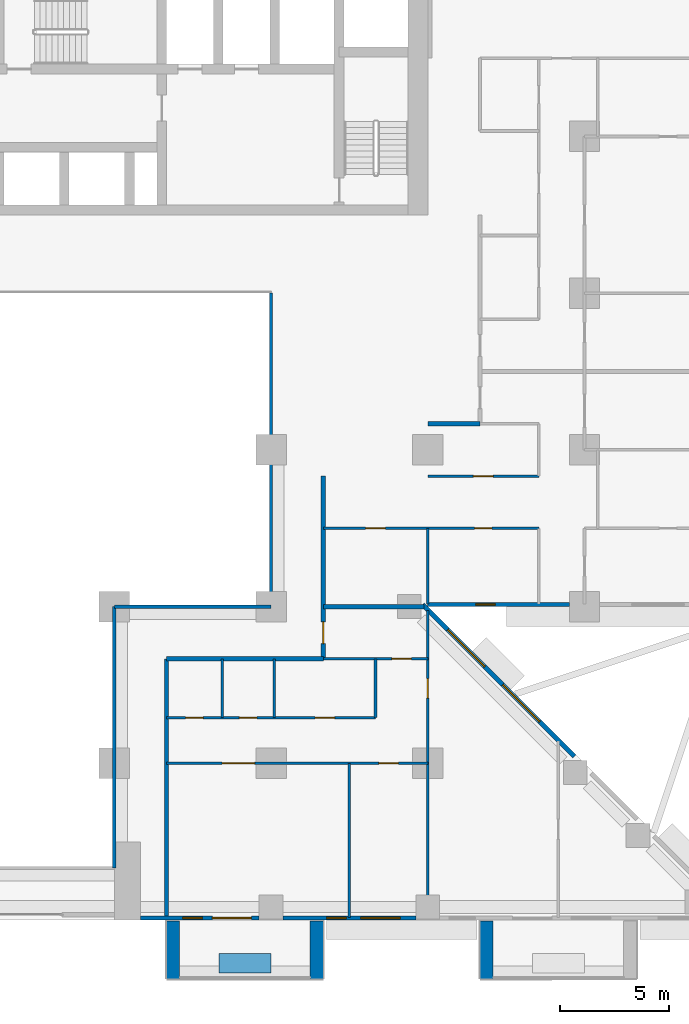
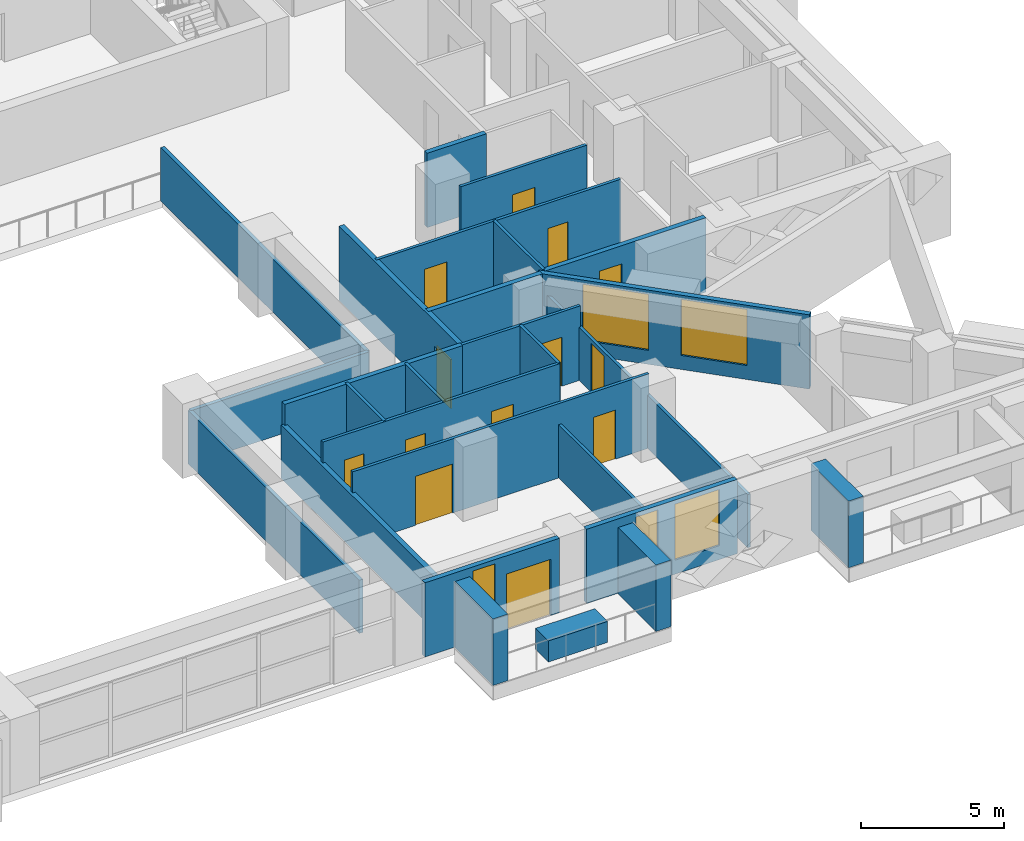
# One storey, part 8 of 17: 27 walls, 12 doors, 6 windows, 18 openings.
"""IFC4 building model written with IfcOpenShell, lengths in metres."""

from ifc_helpers import new_model, si_unit, direction, frame, frame_2d, origin, place, context, subcontext, project, spatial, rectangle, extrude, material, layer, layer_set, type_object, element, fill, save


model = new_model("IFC4")

# Units and contexts
model_context = context("Model", 3, precision=1e-05, world=origin(), true_north=direction((0.0, 1.0)))
body_context = subcontext(model_context, "Body", "Model", "MODEL_VIEW")
ifc_project = project(units=[si_unit("LENGTHUNIT", "METRE"), si_unit("AREAUNIT", "SQUARE_METRE"), si_unit("VOLUMEUNIT", "CUBIC_METRE"), si_unit("PLANEANGLEUNIT", "RADIAN"), si_unit("MASSUNIT", "GRAM", prefix="KILO")], contexts=[model_context])

# Site, building, storey
site_placement = place(None, origin())
site = spatial("IfcSite", under=ifc_project, at=site_placement, CompositionType="ELEMENT")
building_placement = place(site_placement, origin())
building = spatial("IfcBuilding", under=site, at=building_placement, Name="Saffron Iwan Residences", CompositionType="ELEMENT")
storey_placement = place(building_placement, frame((0.0, 0.0, 58.5)))
storey = spatial("IfcBuildingStorey", under=building, at=storey_placement, Name="L14", CompositionType="ELEMENT", Elevation=58.5)

# Walls
ifc_material_1 = material(Name="Fire-rated glazing", Category="glass")
ifc_layer_1 = layer(ifc_material_1, 0.14990234375)
ifc_layer_set_1 = layer_set([ifc_layer_1], Name="Fire-rated glazing")
wall_type_1 = type_object("IfcWallType", Name="Atrium glazed screen 150", PredefinedType="SOLIDWALL", material=ifc_layer_set_1)
wall_1_placement = place(storey_placement, frame((57.60009765625, 48.0, 0.0), z_axis=(0.0, 0.0, 1.0), x_axis=(1.0, 0.0, 0.0)))
element("IfcWall", 1, at=wall_1_placement, inside=storey, type_object=wall_type_1, Name="W-L14-SCREEN-h48-57.6", PredefinedType="SOLIDWALL", context=body_context, shape_type="SweptSolid", body=[
    extrude(rectangle(XDim=7.199951171875, YDim=0.14990234375, at=frame_2d((3.60009765625, 0.0))), origin(), (0.0, 0.0, 1.0), 2.280029296875),
])
wall_2_placement = place(storey_placement, frame((57.60009765625, 36.0, 0.0), z_axis=(0.0, 0.0, 1.0), x_axis=(0.0, 1.0, 0.0)))
element("IfcWall", 2, at=wall_2_placement, inside=storey, type_object=wall_type_1, Name="W-L14-SCREEN-v57.6-36", PredefinedType="SOLIDWALL", context=body_context, shape_type="SweptSolid", body=[
    extrude(rectangle(XDim=12.0, YDim=0.14990234375, at=frame_2d((6.0, 0.0))), origin(), (0.0, 0.0, 1.0), 2.280029296875),
])
wall_3_placement = place(storey_placement, frame((64.800048828125, 48.0, 0.0), z_axis=(0.0, 0.0, 1.0), x_axis=(0.0, 1.0, 0.0)))
element("IfcWall", 3, at=wall_3_placement, inside=storey, type_object=wall_type_1, Name="W-L14-SCREEN-v64.8-48", PredefinedType="SOLIDWALL", context=body_context, shape_type="SweptSolid", body=[
    extrude(rectangle(XDim=14.39990234375, YDim=0.14990234375, at=frame_2d((7.199951171875, 0.0))), origin(), (0.0, 0.0, 1.0), 2.280029296875),
])
ifc_material_2 = material(Name="Concrete C50/60 white painted", Category="concrete")
ifc_layer_2 = layer(ifc_material_2, 0.60009765625)
ifc_layer_set_2 = layer_set([ifc_layer_2], Name="Concrete C50/60 white painted")
wall_type_2 = type_object("IfcWallType", Name="BALCONY FIN 600", PredefinedType="SOLIDWALL", material=ifc_layer_set_2)
for number, where, z_axis, x_axis, name in (
    (4, (60.300048828125, 33.550048828125, 0.0), (0.0, 0.0, 1.0), (0.0, -1.0, 0.0), "Balcony fin L14 11-1a"),
    (5, (66.89990234375, 33.550048828125, 0.0), (0.0, 0.0, 1.0), (0.0, -1.0, 0.0), "Balcony fin L14 11-1b"),
    (6, (74.699951171875, 33.550048828125, 0.0), (0.0, 0.0, 1.0), (0.0, -1.0, 0.0), "Balcony fin L14 11-2a"),
):
    element("IfcWall", number, at=place(storey_placement, frame(where, z_axis=z_axis, x_axis=x_axis)), inside=storey, type_object=wall_type_2, Name=name, PredefinedType="SOLIDWALL", context=body_context, shape_type="SweptSolid", body=[
        extrude(rectangle(XDim=2.650146484375, YDim=0.60009765625, at=frame_2d((1.3251953125, 0.0))), origin(), (0.0, 0.0, 1.0), 2.85009765625),
    ])
ifc_material_3 = material(Name="Concrete C35/45 white painted", Category="concrete")
ifc_layer_3 = layer(ifc_material_3, 0.14990234375)
ifc_layer_set_3 = layer_set([ifc_layer_3], Name="Concrete C35/45 white painted")
wall_type_3 = type_object("IfcWallType", Name="BALCONY PLANTER", PredefinedType="SOLIDWALL", material=ifc_layer_set_3)
wall_4_placement = place(storey_placement, frame((62.39990234375, 31.625, 0.0), z_axis=(0.0, 0.0, 1.0), x_axis=(1.0, 0.0, 0.0)))
element("IfcWall", 7, at=wall_4_placement, inside=storey, type_object=wall_type_3, Name="PLANTER L14 11-1", PredefinedType="SOLIDWALL", context=body_context, shape_type="SweptSolid", body=[
    extrude(rectangle(XDim=2.400146484375, YDim=0.89990234375, at=frame_2d((1.2001953125, 0.0))), origin(), (0.0, 0.0, 1.0), 0.89990234375),
])

# Wall, openings, windows
ifc_material_4 = material(Name="Concrete C40/50", Category="concrete")
ifc_layer_4 = layer(ifc_material_4, 0.199951171875)
ifc_layer_set_4 = layer_set([ifc_layer_4], Name="Concrete C40/50")
wall_type_4 = type_object("IfcWallType", Name="EXTERNAL WALL 200", PredefinedType="SOLIDWALL", material=ifc_layer_set_4)
wall_5_placement = place(storey_placement, frame((78.740478515625, 41.1181640625, 0.0), z_axis=(0.0, 0.0, 1.0), x_axis=(-0.707106781187, 0.707106781187, 0.0)))
wall_5 = element("IfcWall", 8, at=wall_5_placement, inside=storey, type_object=wall_type_4, Name="External wall L14 F0.2", PredefinedType="SOLIDWALL", context=body_context, shape_type="SweptSolid", body=[
    extrude(rectangle(XDim=9.8740234375, YDim=0.199951171875, at=frame_2d((4.93701171875, 0.0))), origin(), (0.0, 0.0, 1.0), 3.179931640625),
])
opening_1_placement = place(wall_5_placement, frame((2.263671875, 0.0, 0.60009765625)))
opening_1 = element("IfcOpeningElement", 9, at=opening_1_placement, cuts=wall_5, Name="Opening W1", PredefinedType="OPENING", context=body_context, shape_type="SweptSolid", body=[
    extrude(rectangle(XDim=2.39990234375, YDim=2.39990234375, at=frame_2d((1.199951171875, 1.199951171875))), frame((0.0, 0.10986328125, 0.0), z_axis=(0.0, -1.0, 0.0), x_axis=(1.0, 0.0, 0.0)), (0.0, 0.0, 1.0), 0.219970703125),
])
opening_2_placement = place(wall_5_placement, frame((5.835693359375, 0.0, 0.60009765625)))
opening_2 = element("IfcOpeningElement", 10, at=opening_2_placement, cuts=wall_5, Name="Opening W1", PredefinedType="OPENING", context=body_context, shape_type="SweptSolid", body=[
    extrude(rectangle(XDim=2.39990234375, YDim=2.39990234375, at=frame_2d((1.199951171875, 1.199951171875))), frame((0.0, 0.10986328125, 0.0), z_axis=(0.0, -1.0, 0.0), x_axis=(1.0, 0.0, 0.0)), (0.0, 0.0, 1.0), 0.219970703125),
])
ifc_material_5 = material(Name="Clear glass, laminated double glazed", Category="glass")
window_type_1 = type_object("IfcWindowType", Name="WINDOW 2400 x 2400", PartitioningType="DOUBLE_PANEL_VERTICAL", PredefinedType="WINDOW", material=ifc_material_5)
window_1_placement = place(opening_1_placement, origin())
window_1 = element("IfcWindow", 11, at=window_1_placement, inside=storey, type_object=window_type_1, Name="Window L14 F0.0", OverallHeight=2.39990234375, OverallWidth=2.39990234375, PartitioningType="DOUBLE_PANEL_VERTICAL", PredefinedType="WINDOW", context=body_context, shape_type="SweptSolid", body=[
    extrude(rectangle(XDim=2.39990234375, YDim=2.39990234375, at=frame_2d((1.199951171875, 1.199951171875))), frame((0.0, 0.030029296875, 0.0), z_axis=(0.0, -1.0, 0.0), x_axis=(1.0, 0.0, 0.0)), (0.0, 0.0, 1.0), 0.06005859375),
])
fill(opening_1, window_1)
window_2_placement = place(opening_2_placement, origin())
window_2 = element("IfcWindow", 12, at=window_2_placement, inside=storey, type_object=window_type_1, Name="Window L14 F0.1", OverallHeight=2.39990234375, OverallWidth=2.39990234375, PartitioningType="DOUBLE_PANEL_VERTICAL", PredefinedType="WINDOW", context=body_context, shape_type="SweptSolid", body=[
    extrude(rectangle(XDim=2.39990234375, YDim=2.39990234375, at=frame_2d((1.199951171875, 1.199951171875))), frame((0.0, 0.030029296875, 0.0), z_axis=(0.0, -1.0, 0.0), x_axis=(1.0, 0.0, 0.0)), (0.0, 0.0, 1.0), 0.06005859375),
])
fill(opening_2, window_2)

# Wall, opening, window
wall_6_placement = place(storey_placement, frame((71.988525390625, 48.10009765625, 0.0), z_axis=(0.0, 0.0, 1.0), x_axis=(1.0, 0.0, 0.0)))
wall_6 = element("IfcWall", 13, at=wall_6_placement, inside=storey, type_object=wall_type_4, Name="External wall L14 F1.0", PredefinedType="SOLIDWALL", context=body_context, shape_type="SweptSolid", body=[
    extrude(rectangle(XDim=6.511474609375, YDim=0.199951171875, at=frame_2d((3.255859375, 0.0))), origin(), (0.0, 0.0, 1.0), 3.179931640625),
])
opening_3_placement = place(wall_6_placement, frame((2.205810546875, 0.0, 1.5)))
opening_3 = element("IfcOpeningElement", 14, at=opening_3_placement, cuts=wall_6, Name="Opening W6", PredefinedType="OPENING", context=body_context, shape_type="SweptSolid", body=[
    extrude(rectangle(XDim=0.89990234375, YDim=0.89990234375, at=frame_2d((0.449951171875, 0.449951171875))), frame((0.0, 0.10986328125, 0.0), z_axis=(0.0, -1.0, 0.0), x_axis=(1.0, 0.0, 0.0)), (0.0, 0.0, 1.0), 0.219970703125),
])
window_type_2 = type_object("IfcWindowType", Name="WINDOW 900 x 900 BATH", PartitioningType="SINGLE_PANEL", PredefinedType="WINDOW", material=ifc_material_5)
window_3_placement = place(opening_3_placement, origin())
window_3 = element("IfcWindow", 15, at=window_3_placement, inside=storey, type_object=window_type_2, Name="Window L14 F1.0", OverallHeight=0.89990234375, OverallWidth=0.89990234375, PartitioningType="SINGLE_PANEL", PredefinedType="WINDOW", context=body_context, shape_type="SweptSolid", body=[
    extrude(rectangle(XDim=0.89990234375, YDim=0.89990234375, at=frame_2d((0.449951171875, 0.449951171875))), frame((0.0, 0.030029296875, 0.0), z_axis=(0.0, -1.0, 0.0), x_axis=(1.0, 0.0, 0.0)), (0.0, 0.0, 1.0), 0.06005859375),
])
fill(opening_3, window_3)

# Wall, openings, door, window
wall_7_placement = place(storey_placement, frame((58.800048828125, 33.699951171875, 0.0), z_axis=(0.0, 0.0, 1.0), x_axis=(1.0, 0.0, 0.0)))
wall_7 = element("IfcWall", 16, at=wall_7_placement, inside=storey, type_object=wall_type_4, Name="External wall L14 F11.4", PredefinedType="SOLIDWALL", context=body_context, shape_type="SweptSolid", body=[
    extrude(rectangle(XDim=5.449951171875, YDim=0.199951171875, at=frame_2d((2.72509765625, 0.0))), origin(), (0.0, 0.0, 1.0), 3.179931640625),
])
opening_4_placement = place(wall_7_placement, frame((3.300048828125, 0.0, 0.0)))
opening_4 = element("IfcOpeningElement", 17, at=opening_4_placement, cuts=wall_7, Name="Opening BD1", PredefinedType="OPENING", context=body_context, shape_type="SweptSolid", body=[
    extrude(rectangle(XDim=1.800048828125, YDim=2.39990234375, at=frame_2d((0.89990234375, 1.199951171875))), frame((0.0, 0.10986328125, 0.0), z_axis=(0.0, -1.0, 0.0), x_axis=(1.0, 0.0, 0.0)), (0.0, 0.0, 1.0), 0.219970703125),
])
opening_5_placement = place(wall_7_placement, frame((1.949951171875, 0.0, 0.60009765625)))
opening_5 = element("IfcOpeningElement", 18, at=opening_5_placement, cuts=wall_7, Name="Opening W10", PredefinedType="OPENING", context=body_context, shape_type="SweptSolid", body=[
    extrude(rectangle(XDim=0.89990234375, YDim=2.39990234375, at=frame_2d((0.449951171875, 1.199951171875))), frame((0.0, 0.10986328125, 0.0), z_axis=(0.0, -1.0, 0.0), x_axis=(1.0, 0.0, 0.0)), (0.0, 0.0, 1.0), 0.219970703125),
])
door_type_1 = type_object("IfcDoorType", Name="BALCONY DOOR 1800 x 2400", OperationType="DOUBLE_DOOR_SLIDING", PredefinedType="DOOR", material=ifc_material_5)
door_1_placement = place(opening_4_placement, origin())
door_1 = element("IfcDoor", 19, at=door_1_placement, inside=storey, type_object=door_type_1, Name="Balcony door L14 F11.0", OperationType="DOUBLE_DOOR_SLIDING", OverallHeight=2.39990234375, OverallWidth=1.800048828125, PredefinedType="DOOR", context=body_context, shape_type="SweptSolid", body=[
    extrude(rectangle(XDim=1.800048828125, YDim=2.39990234375, at=frame_2d((0.89990234375, 1.199951171875))), frame((0.0, 0.02490234375, 0.0), z_axis=(0.0, -1.0, 0.0), x_axis=(1.0, 0.0, 0.0)), (0.0, 0.0, 1.0), 0.050048828125),
])
fill(opening_4, door_1)
window_type_3 = type_object("IfcWindowType", Name="WINDOW 900 x 2400", PartitioningType="SINGLE_PANEL", PredefinedType="WINDOW", material=ifc_material_5)
window_4_placement = place(opening_5_placement, origin())
window_4 = element("IfcWindow", 20, at=window_4_placement, inside=storey, type_object=window_type_3, Name="Window L14 F11.1", OverallHeight=2.39990234375, OverallWidth=0.89990234375, PartitioningType="SINGLE_PANEL", PredefinedType="WINDOW", context=body_context, shape_type="SweptSolid", body=[
    extrude(rectangle(XDim=0.89990234375, YDim=2.39990234375, at=frame_2d((0.449951171875, 1.199951171875))), frame((0.0, 0.030029296875, 0.0), z_axis=(0.0, -1.0, 0.0), x_axis=(1.0, 0.0, 0.0)), (0.0, 0.0, 1.0), 0.06005859375),
])
fill(opening_5, window_4)

# Wall, openings, windows
wall_8_placement = place(storey_placement, frame((65.35009765625, 33.699951171875, 0.0), z_axis=(0.0, 0.0, 1.0), x_axis=(1.0, 0.0, 0.0)))
wall_8 = element("IfcWall", 21, at=wall_8_placement, inside=storey, type_object=wall_type_4, Name="External wall L14 F11.5", PredefinedType="SOLIDWALL", context=body_context, shape_type="SweptSolid", body=[
    extrude(rectangle(XDim=6.099853515625, YDim=0.199951171875, at=frame_2d((3.0498046875, 0.0))), origin(), (0.0, 0.0, 1.0), 3.179931640625),
])
opening_6_placement = place(wall_8_placement, frame((3.574951171875, 0.0, 0.60009765625)))
opening_6 = element("IfcOpeningElement", 22, at=opening_6_placement, cuts=wall_8, Name="Opening W8", PredefinedType="OPENING", context=body_context, shape_type="SweptSolid", body=[
    extrude(rectangle(XDim=1.800048828125, YDim=2.39990234375, at=frame_2d((0.89990234375, 1.199951171875))), frame((0.0, 0.10986328125, 0.0), z_axis=(0.0, -1.0, 0.0), x_axis=(1.0, 0.0, 0.0)), (0.0, 0.0, 1.0), 0.219970703125),
])
opening_7_placement = place(wall_8_placement, frame((2.0, 0.0, 0.60009765625)))
opening_7 = element("IfcOpeningElement", 23, at=opening_7_placement, cuts=wall_8, Name="Opening W10", PredefinedType="OPENING", context=body_context, shape_type="SweptSolid", body=[
    extrude(rectangle(XDim=0.89990234375, YDim=2.39990234375, at=frame_2d((0.449951171875, 1.199951171875))), frame((0.0, 0.10986328125, 0.0), z_axis=(0.0, -1.0, 0.0), x_axis=(1.0, 0.0, 0.0)), (0.0, 0.0, 1.0), 0.219970703125),
])
window_type_4 = type_object("IfcWindowType", Name="WINDOW 1800 x 2400", PartitioningType="DOUBLE_PANEL_VERTICAL", PredefinedType="WINDOW", material=ifc_material_5)
window_5_placement = place(opening_6_placement, origin())
window_5 = element("IfcWindow", 24, at=window_5_placement, inside=storey, type_object=window_type_4, Name="Window L14 F11.0", OverallHeight=2.39990234375, OverallWidth=1.800048828125, PartitioningType="DOUBLE_PANEL_VERTICAL", PredefinedType="WINDOW", context=body_context, shape_type="SweptSolid", body=[
    extrude(rectangle(XDim=1.800048828125, YDim=2.39990234375, at=frame_2d((0.89990234375, 1.199951171875))), frame((0.0, 0.030029296875, 0.0), z_axis=(0.0, -1.0, 0.0), x_axis=(1.0, 0.0, 0.0)), (0.0, 0.0, 1.0), 0.06005859375),
])
fill(opening_6, window_5)
window_6_placement = place(opening_7_placement, origin())
window_6 = element("IfcWindow", 25, at=window_6_placement, inside=storey, type_object=window_type_3, Name="Window L14 F11.1", OverallHeight=2.39990234375, OverallWidth=0.89990234375, PartitioningType="SINGLE_PANEL", PredefinedType="WINDOW", context=body_context, shape_type="SweptSolid", body=[
    extrude(rectangle(XDim=0.89990234375, YDim=2.39990234375, at=frame_2d((0.449951171875, 1.199951171875))), frame((0.0, 0.030029296875, 0.0), z_axis=(0.0, -1.0, 0.0), x_axis=(1.0, 0.0, 0.0)), (0.0, 0.0, 1.0), 0.06005859375),
])
fill(opening_7, window_6)

# Wall
ifc_material_6 = material(Name="Fire-rated gypsum board wall")
ifc_layer_5 = layer(ifc_material_6, 0.199951171875)
ifc_layer_set_5 = layer_set([ifc_layer_5], Name="Fire-rated gypsum board wall")
wall_type_5 = type_object("IfcWallType", Name="Flat demising wall 200", PredefinedType="SOLIDWALL", material=ifc_layer_set_5)
wall_9_placement = place(storey_placement, frame((67.199951171875, 48.0, 0.0), z_axis=(0.0, 0.0, 1.0), x_axis=(1.0, 0.0, 0.0)))
element("IfcWall", 26, at=wall_9_placement, inside=storey, type_object=wall_type_5, Name="W-L14-DEMISE-h48-67.2", PredefinedType="SOLIDWALL", context=body_context, shape_type="SweptSolid", body=[
    extrude(rectangle(XDim=4.623046875, YDim=0.199951171875, at=frame_2d((2.3115234375, 0.0))), origin(), (0.0, 0.0, 1.0), 3.179931640625),
])

# Wall, openings, doors
ifc_material_7 = material(Name="Gypsum board partition")
ifc_layer_6 = layer(ifc_material_7, 0.1201171875)
ifc_layer_set_6 = layer_set([ifc_layer_6], Name="Gypsum board partition")
wall_type_6 = type_object("IfcWallType", Name="Flat partition 120", PredefinedType="PARTITIONING", material=ifc_layer_set_6)
wall_10_placement = place(storey_placement, frame((60.0, 40.800048828125, 0.0), z_axis=(0.0, 0.0, 1.0), x_axis=(1.0, 0.0, 0.0)))
wall_10 = element("IfcWall", 27, at=wall_10_placement, inside=storey, type_object=wall_type_6, Name="W-L14-PART-h40.8-60", PredefinedType="PARTITIONING", context=body_context, shape_type="SweptSolid", body=[
    extrude(rectangle(XDim=12.0, YDim=0.1201171875, at=frame_2d((6.0, 0.0))), origin(), (0.0, 0.0, 1.0), 3.179931640625),
])
opening_8_placement = place(wall_10_placement, frame((9.75, 0.0, 0.0)))
opening_8 = element("IfcOpeningElement", 28, at=opening_8_placement, cuts=wall_10, Name="Opening FD2", PredefinedType="OPENING", context=body_context, shape_type="SweptSolid", body=[
    extrude(rectangle(XDim=0.89990234375, YDim=2.10009765625, at=frame_2d((0.449951171875, 1.050048828125))), frame((0.0, 0.070068359375, 0.0), z_axis=(0.0, -1.0, 0.0), x_axis=(1.0, 0.0, 0.0)), (0.0, 0.0, 1.0), 0.14013671875),
])
opening_9_placement = place(wall_10_placement, frame((2.550048828125, 0.0, 0.0)))
opening_9 = element("IfcOpeningElement", 29, at=opening_9_placement, cuts=wall_10, Name="Opening FD4", PredefinedType="OPENING", context=body_context, shape_type="SweptSolid", body=[
    extrude(rectangle(XDim=1.5, YDim=2.10009765625, at=frame_2d((0.75, 1.050048828125))), frame((0.0, 0.070068359375, 0.0), z_axis=(0.0, -1.0, 0.0), x_axis=(1.0, 0.0, 0.0)), (0.0, 0.0, 1.0), 0.14013671875),
])
ifc_material_8 = material(Name="Timber door", Category="wood")
door_type_2 = type_object("IfcDoorType", Name="Double door 1500", OperationType="NOTDEFINED", PredefinedType="DOOR", material=ifc_material_8)
door_2_placement = place(opening_9_placement, origin())
door_2 = element("IfcDoor", 30, at=door_2_placement, inside=storey, type_object=door_type_2, Name="Door L14-047", OperationType="SINGLE_SWING_LEFT", OverallHeight=2.10009765625, OverallWidth=1.5, PredefinedType="DOOR", context=body_context, shape_type="SweptSolid", body=[
    extrude(rectangle(XDim=1.5, YDim=2.10009765625, at=frame_2d((0.75, 1.050048828125))), frame((0.0, 0.02490234375, 0.0), z_axis=(0.0, -1.0, 0.0), x_axis=(1.0, 0.0, 0.0)), (0.0, 0.0, 1.0), 0.050048828125),
])
fill(opening_9, door_2)
door_type_3 = type_object("IfcDoorType", Name="Flat door 900", OperationType="NOTDEFINED", PredefinedType="DOOR", material=ifc_material_8)
door_3_placement = place(opening_8_placement, origin())
door_3 = element("IfcDoor", 31, at=door_3_placement, inside=storey, type_object=door_type_3, Name="Door L14-046", OperationType="SINGLE_SWING_LEFT", OverallHeight=2.10009765625, OverallWidth=0.89990234375, PredefinedType="DOOR", context=body_context, shape_type="SweptSolid", body=[
    extrude(rectangle(XDim=0.89990234375, YDim=2.10009765625, at=frame_2d((0.449951171875, 1.050048828125))), frame((0.0, 0.02490234375, 0.0), z_axis=(0.0, -1.0, 0.0), x_axis=(1.0, 0.0, 0.0)), (0.0, 0.0, 1.0), 0.050048828125),
])
fill(opening_8, door_3)

wall_11_placement = place(storey_placement, frame((60.0, 42.89990234375, 0.0), z_axis=(0.0, 0.0, 1.0), x_axis=(1.0, 0.0, 0.0)))
wall_11 = element("IfcWall", 32, at=wall_11_placement, inside=storey, type_object=wall_type_6, Name="W-L14-PART-h42.9-60", PredefinedType="PARTITIONING", context=body_context, shape_type="SweptSolid", body=[
    extrude(rectangle(XDim=9.60009765625, YDim=0.1201171875, at=frame_2d((4.800048828125, 0.0))), origin(), (0.0, 0.0, 1.0), 3.179931640625),
])
opening_10_placement = place(wall_11_placement, frame((6.824951171875, 0.0, 0.0)))
opening_10 = element("IfcOpeningElement", 33, at=opening_10_placement, cuts=wall_11, Name="Opening FD2", PredefinedType="OPENING", context=body_context, shape_type="SweptSolid", body=[
    extrude(rectangle(XDim=0.89990234375, YDim=2.10009765625, at=frame_2d((0.449951171875, 1.050048828125))), frame((0.0, 0.070068359375, 0.0), z_axis=(0.0, -1.0, 0.0), x_axis=(1.0, 0.0, 0.0)), (0.0, 0.0, 1.0), 0.14013671875),
])
opening_11_placement = place(wall_11_placement, frame((3.35009765625, 0.0, 0.0)))
opening_11 = element("IfcOpeningElement", 34, at=opening_11_placement, cuts=wall_11, Name="Opening FD3", PredefinedType="OPENING", context=body_context, shape_type="SweptSolid", body=[
    extrude(rectangle(XDim=0.800048828125, YDim=2.10009765625, at=frame_2d((0.39990234375, 1.050048828125))), frame((0.0, 0.070068359375, 0.0), z_axis=(0.0, -1.0, 0.0), x_axis=(1.0, 0.0, 0.0)), (0.0, 0.0, 1.0), 0.14013671875),
])
opening_12_placement = place(wall_11_placement, frame((0.875, 0.0, 0.0)))
opening_12 = element("IfcOpeningElement", 35, at=opening_12_placement, cuts=wall_11, Name="Opening FD3", PredefinedType="OPENING", context=body_context, shape_type="SweptSolid", body=[
    extrude(rectangle(XDim=0.800048828125, YDim=2.10009765625, at=frame_2d((0.39990234375, 1.050048828125))), frame((0.0, 0.070068359375, 0.0), z_axis=(0.0, -1.0, 0.0), x_axis=(1.0, 0.0, 0.0)), (0.0, 0.0, 1.0), 0.14013671875),
])
door_type_4 = type_object("IfcDoorType", Name="Bathroom door 800", OperationType="NOTDEFINED", PredefinedType="DOOR", material=ifc_material_8)
door_4_placement = place(opening_11_placement, origin())
door_4 = element("IfcDoor", 36, at=door_4_placement, inside=storey, type_object=door_type_4, Name="Door L14-049", OperationType="SINGLE_SWING_LEFT", OverallHeight=2.10009765625, OverallWidth=0.800048828125, PredefinedType="DOOR", context=body_context, shape_type="SweptSolid", body=[
    extrude(rectangle(XDim=0.800048828125, YDim=2.10009765625, at=frame_2d((0.39990234375, 1.050048828125))), frame((0.0, 0.02490234375, 0.0), z_axis=(0.0, -1.0, 0.0), x_axis=(1.0, 0.0, 0.0)), (0.0, 0.0, 1.0), 0.050048828125),
])
fill(opening_11, door_4)
door_5_placement = place(opening_12_placement, origin())
door_5 = element("IfcDoor", 37, at=door_5_placement, inside=storey, type_object=door_type_4, Name="Door L14-050", OperationType="SINGLE_SWING_RIGHT", OverallHeight=2.10009765625, OverallWidth=0.800048828125, PredefinedType="DOOR", context=body_context, shape_type="SweptSolid", body=[
    extrude(rectangle(XDim=0.800048828125, YDim=2.10009765625, at=frame_2d((0.39990234375, 1.050048828125))), frame((0.0, 0.02490234375, 0.0), z_axis=(0.0, -1.0, 0.0), x_axis=(1.0, 0.0, 0.0)), (0.0, 0.0, 1.0), 0.050048828125),
])
fill(opening_12, door_5)
door_6_placement = place(opening_10_placement, origin())
door_6 = element("IfcDoor", 38, at=door_6_placement, inside=storey, type_object=door_type_3, Name="Door L14-048", OperationType="SINGLE_SWING_LEFT", OverallHeight=2.10009765625, OverallWidth=0.89990234375, PredefinedType="DOOR", context=body_context, shape_type="SweptSolid", body=[
    extrude(rectangle(XDim=0.89990234375, YDim=2.10009765625, at=frame_2d((0.449951171875, 1.050048828125))), frame((0.0, 0.02490234375, 0.0), z_axis=(0.0, -1.0, 0.0), x_axis=(1.0, 0.0, 0.0)), (0.0, 0.0, 1.0), 0.050048828125),
])
fill(opening_10, door_6)

# Wall, opening, door
wall_12_placement = place(storey_placement, frame((67.199951171875, 45.60009765625, 0.0), z_axis=(0.0, 0.0, 1.0), x_axis=(1.0, 0.0, 0.0)))
wall_12 = element("IfcWall", 39, at=wall_12_placement, inside=storey, type_object=wall_type_6, Name="W-L14-PART-h45.6-67.2", PredefinedType="PARTITIONING", context=body_context, shape_type="SweptSolid", body=[
    extrude(rectangle(XDim=4.800048828125, YDim=0.1201171875, at=frame_2d((2.39990234375, 0.0))), origin(), (0.0, 0.0, 1.0), 3.179931640625),
])
opening_13_placement = place(wall_12_placement, frame((3.14990234375, 0.0, 0.0)))
opening_13 = element("IfcOpeningElement", 40, at=opening_13_placement, cuts=wall_12, Name="Opening FD2", PredefinedType="OPENING", context=body_context, shape_type="SweptSolid", body=[
    extrude(rectangle(XDim=0.89990234375, YDim=2.10009765625, at=frame_2d((0.449951171875, 1.050048828125))), frame((0.0, 0.070068359375, 0.0), z_axis=(0.0, -1.0, 0.0), x_axis=(1.0, 0.0, 0.0)), (0.0, 0.0, 1.0), 0.14013671875),
])
door_7_placement = place(opening_13_placement, origin())
door_7 = element("IfcDoor", 41, at=door_7_placement, inside=storey, type_object=door_type_3, Name="Door L14-044", OperationType="SINGLE_SWING_RIGHT", OverallHeight=2.10009765625, OverallWidth=0.89990234375, PredefinedType="DOOR", context=body_context, shape_type="SweptSolid", body=[
    extrude(rectangle(XDim=0.89990234375, YDim=2.10009765625, at=frame_2d((0.449951171875, 1.050048828125))), frame((0.0, 0.02490234375, 0.0), z_axis=(0.0, -1.0, 0.0), x_axis=(1.0, 0.0, 0.0)), (0.0, 0.0, 1.0), 0.050048828125),
])
fill(opening_13, door_7)

# Wall, openings, doors
wall_13_placement = place(storey_placement, frame((67.199951171875, 51.60009765625, 0.0), z_axis=(0.0, 0.0, 1.0), x_axis=(1.0, 0.0, 0.0)))
wall_13 = element("IfcWall", 42, at=wall_13_placement, inside=storey, type_object=wall_type_6, Name="W-L14-PART-h51.6-67.2", PredefinedType="PARTITIONING", context=body_context, shape_type="SweptSolid", body=[
    extrude(rectangle(XDim=9.900146484375, YDim=0.1201171875, at=frame_2d((4.9501953125, 0.0))), origin(), (0.0, 0.0, 1.0), 3.179931640625),
])
opening_14_placement = place(wall_13_placement, frame((6.949951171875, 0.0, 0.0)))
opening_14 = element("IfcOpeningElement", 43, at=opening_14_placement, cuts=wall_13, Name="Opening FD3", PredefinedType="OPENING", context=body_context, shape_type="SweptSolid", body=[
    extrude(rectangle(XDim=0.800048828125, YDim=2.10009765625, at=frame_2d((0.39990234375, 1.050048828125))), frame((0.0, 0.070068359375, 0.0), z_axis=(0.0, -1.0, 0.0), x_axis=(1.0, 0.0, 0.0)), (0.0, 0.0, 1.0), 0.14013671875),
])
opening_15_placement = place(wall_13_placement, frame((1.949951171875, 0.0, 0.0)))
opening_15 = element("IfcOpeningElement", 44, at=opening_15_placement, cuts=wall_13, Name="Opening FD2", PredefinedType="OPENING", context=body_context, shape_type="SweptSolid", body=[
    extrude(rectangle(XDim=0.89990234375, YDim=2.10009765625, at=frame_2d((0.449951171875, 1.050048828125))), frame((0.0, 0.070068359375, 0.0), z_axis=(0.0, -1.0, 0.0), x_axis=(1.0, 0.0, 0.0)), (0.0, 0.0, 1.0), 0.14013671875),
])
door_8_placement = place(opening_14_placement, origin())
door_8 = element("IfcDoor", 45, at=door_8_placement, inside=storey, type_object=door_type_4, Name="Door L14-025", OperationType="SINGLE_SWING_LEFT", OverallHeight=2.10009765625, OverallWidth=0.800048828125, PredefinedType="DOOR", context=body_context, shape_type="SweptSolid", body=[
    extrude(rectangle(XDim=0.800048828125, YDim=2.10009765625, at=frame_2d((0.39990234375, 1.050048828125))), frame((0.0, 0.02490234375, 0.0), z_axis=(0.0, -1.0, 0.0), x_axis=(1.0, 0.0, 0.0)), (0.0, 0.0, 1.0), 0.050048828125),
])
fill(opening_14, door_8)
door_9_placement = place(opening_15_placement, origin())
door_9 = element("IfcDoor", 46, at=door_9_placement, inside=storey, type_object=door_type_3, Name="Door L14-027", OperationType="SINGLE_SWING_LEFT", OverallHeight=2.10009765625, OverallWidth=0.89990234375, PredefinedType="DOOR", context=body_context, shape_type="SweptSolid", body=[
    extrude(rectangle(XDim=0.89990234375, YDim=2.10009765625, at=frame_2d((0.449951171875, 1.050048828125))), frame((0.0, 0.02490234375, 0.0), z_axis=(0.0, -1.0, 0.0), x_axis=(1.0, 0.0, 0.0)), (0.0, 0.0, 1.0), 0.050048828125),
])
fill(opening_15, door_9)

# Wall, opening, door
wall_14_placement = place(storey_placement, frame((72.0, 54.0, 0.0), z_axis=(0.0, 0.0, 1.0), x_axis=(1.0, 0.0, 0.0)))
wall_14 = element("IfcWall", 47, at=wall_14_placement, inside=storey, type_object=wall_type_6, Name="W-L14-PART-h54-72", PredefinedType="PARTITIONING", context=body_context, shape_type="SweptSolid", body=[
    extrude(rectangle(XDim=5.10009765625, YDim=0.1201171875, at=frame_2d((2.550048828125, 0.0))), origin(), (0.0, 0.0, 1.0), 3.179931640625),
])
opening_16_placement = place(wall_14_placement, frame((2.10009765625, 0.0, 0.0)))
opening_16 = element("IfcOpeningElement", 48, at=opening_16_placement, cuts=wall_14, Name="Opening FD2", PredefinedType="OPENING", context=body_context, shape_type="SweptSolid", body=[
    extrude(rectangle(XDim=0.89990234375, YDim=2.10009765625, at=frame_2d((0.449951171875, 1.050048828125))), frame((0.0, 0.070068359375, 0.0), z_axis=(0.0, -1.0, 0.0), x_axis=(1.0, 0.0, 0.0)), (0.0, 0.0, 1.0), 0.14013671875),
])
door_10_placement = place(opening_16_placement, origin())
door_10 = element("IfcDoor", 49, at=door_10_placement, inside=storey, type_object=door_type_3, Name="Door L14-026", OperationType="SINGLE_SWING_RIGHT", OverallHeight=2.10009765625, OverallWidth=0.89990234375, PredefinedType="DOOR", context=body_context, shape_type="SweptSolid", body=[
    extrude(rectangle(XDim=0.89990234375, YDim=2.10009765625, at=frame_2d((0.449951171875, 1.050048828125))), frame((0.0, 0.02490234375, 0.0), z_axis=(0.0, -1.0, 0.0), x_axis=(1.0, 0.0, 0.0)), (0.0, 0.0, 1.0), 0.050048828125),
])
fill(opening_16, door_10)

# Walls
for number, where, z_axis, x_axis, name in (
    (50, (62.550048828125, 42.89990234375, 0.0), (0.0, 0.0, 1.0), (0.0, 1.0, 0.0), "W-L14-PART-v62.55-42.9"),
    (51, (64.949951171875, 42.89990234375, 0.0), (0.0, 0.0, 1.0), (0.0, 1.0, 0.0), "W-L14-PART-v64.95-42.9"),
):
    element("IfcWall", number, at=place(storey_placement, frame(where, z_axis=z_axis, x_axis=x_axis)), inside=storey, type_object=wall_type_6, Name=name, PredefinedType="PARTITIONING", context=body_context, shape_type="SweptSolid", body=[
        extrude(rectangle(XDim=2.7001953125, YDim=0.1201171875, at=frame_2d((1.35009765625, 0.0))), origin(), (0.0, 0.0, 1.0), 3.179931640625),
    ])
wall_15_placement = place(storey_placement, frame((68.39990234375, 33.72509765625, 0.0), z_axis=(0.0, 0.0, 1.0), x_axis=(0.0, 1.0, 0.0)))
element("IfcWall", 52, at=wall_15_placement, inside=storey, type_object=wall_type_6, Name="W-L14-PART-v68.4-33.725", PredefinedType="PARTITIONING", context=body_context, shape_type="SweptSolid", body=[
    extrude(rectangle(XDim=7.074951171875, YDim=0.1201171875, at=frame_2d((3.53759765625, 0.0))), origin(), (0.0, 0.0, 1.0), 2.280029296875),
])
wall_16_placement = place(storey_placement, frame((69.60009765625, 42.89990234375, 0.0), z_axis=(0.0, 0.0, 1.0), x_axis=(0.0, 1.0, 0.0)))
element("IfcWall", 53, at=wall_16_placement, inside=storey, type_object=wall_type_6, Name="W-L14-PART-v69.6-42.9", PredefinedType="PARTITIONING", context=body_context, shape_type="SweptSolid", body=[
    extrude(rectangle(XDim=2.7001953125, YDim=0.1201171875, at=frame_2d((1.35009765625, 0.0))), origin(), (0.0, 0.0, 1.0), 3.179931640625),
])

# Wall, opening, door
wall_17_placement = place(storey_placement, frame((72.0, 33.72509765625, 0.0), z_axis=(0.0, 0.0, 1.0), x_axis=(0.0, 1.0, 0.0)))
wall_17 = element("IfcWall", 54, at=wall_17_placement, inside=storey, type_object=wall_type_6, Name="W-L14-PART-v72-33.725", PredefinedType="PARTITIONING", context=body_context, shape_type="SweptSolid", body=[
    extrude(rectangle(XDim=14.097900390625, YDim=0.1201171875, at=frame_2d((7.048828125, 0.0))), origin(), (0.0, 0.0, 1.0), 2.280029296875),
])
opening_17_placement = place(wall_17_placement, frame((10.074951171875, 0.0, 0.0)))
opening_17 = element("IfcOpeningElement", 55, at=opening_17_placement, cuts=wall_17, Name="Opening FD2", PredefinedType="OPENING", context=body_context, shape_type="SweptSolid", body=[
    extrude(rectangle(XDim=0.89990234375, YDim=2.10009765625, at=frame_2d((0.449951171875, 1.050048828125))), frame((0.0, 0.070068359375, 0.0), z_axis=(0.0, -1.0, 0.0), x_axis=(1.0, 0.0, 0.0)), (0.0, 0.0, 1.0), 0.14013671875),
])
door_11_placement = place(opening_17_placement, origin())
door_11 = element("IfcDoor", 56, at=door_11_placement, inside=storey, type_object=door_type_3, Name="Door L14-051", OperationType="SINGLE_SWING_LEFT", OverallHeight=2.10009765625, OverallWidth=0.89990234375, PredefinedType="DOOR", context=body_context, shape_type="SweptSolid", body=[
    extrude(rectangle(XDim=0.89990234375, YDim=2.10009765625, at=frame_2d((0.449951171875, 1.050048828125))), frame((0.0, 0.02490234375, 0.0), z_axis=(0.0, -1.0, 0.0), x_axis=(1.0, 0.0, 0.0)), (0.0, 0.0, 1.0), 0.050048828125),
])
fill(opening_17, door_11)

# Walls
wall_18_placement = place(storey_placement, frame((72.0, 48.125, 0.0), z_axis=(0.0, 0.0, 1.0), x_axis=(0.0, 1.0, 0.0)))
element("IfcWall", 57, at=wall_18_placement, inside=storey, type_object=wall_type_6, Name="W-L14-PART-v72-48.125", PredefinedType="PARTITIONING", context=body_context, shape_type="SweptSolid", body=[
    extrude(rectangle(XDim=3.47509765625, YDim=0.1201171875, at=frame_2d((1.737548828125, 0.0))), origin(), (0.0, 0.0, 1.0), 3.179931640625),
])
ifc_layer_7 = layer(ifc_material_6, 0.199951171875)
ifc_layer_set_7 = layer_set([ifc_layer_7], Name="Fire-rated gypsum board wall")
wall_type_7 = type_object("IfcWallType", Name="Gallery wall 200", PredefinedType="SOLIDWALL", material=ifc_layer_set_7)
wall_19_placement = place(storey_placement, frame((60.0, 45.60009765625, 0.0), z_axis=(0.0, 0.0, 1.0), x_axis=(1.0, 0.0, 0.0)))
element("IfcWall", 58, at=wall_19_placement, inside=storey, type_object=wall_type_7, Name="W-L14-CORR-h45.6-60", PredefinedType="SOLIDWALL", context=body_context, shape_type="SweptSolid", body=[
    extrude(rectangle(XDim=7.199951171875, YDim=0.199951171875, at=frame_2d((3.60009765625, 0.0))), origin(), (0.0, 0.0, 1.0), 3.179931640625),
])
wall_20_placement = place(storey_placement, frame((72.0, 56.39990234375, 0.0), z_axis=(0.0, 0.0, 1.0), x_axis=(1.0, 0.0, 0.0)))
element("IfcWall", 59, at=wall_20_placement, inside=storey, type_object=wall_type_7, Name="W-L14-CORR-h56.4-72", PredefinedType="SOLIDWALL", context=body_context, shape_type="SweptSolid", body=[
    extrude(rectangle(XDim=2.39990234375, YDim=0.199951171875, at=frame_2d((1.199951171875, 0.0))), origin(), (0.0, 0.0, 1.0), 3.179931640625),
])
wall_21_placement = place(storey_placement, frame((60.0, 33.72509765625, 0.0), z_axis=(0.0, 0.0, 1.0), x_axis=(0.0, 1.0, 0.0)))
element("IfcWall", 60, at=wall_21_placement, inside=storey, type_object=wall_type_7, Name="W-L14-CORR-v60-33.725", PredefinedType="SOLIDWALL", context=body_context, shape_type="SweptSolid", body=[
    extrude(rectangle(XDim=11.875, YDim=0.199951171875, at=frame_2d((5.9375, 0.0))), origin(), (0.0, 0.0, 1.0), 2.280029296875),
])

# Wall, opening, door
wall_22_placement = place(storey_placement, frame((67.199951171875, 45.60009765625, 0.0), z_axis=(0.0, 0.0, 1.0), x_axis=(0.0, 1.0, 0.0)))
wall_22 = element("IfcWall", 61, at=wall_22_placement, inside=storey, type_object=wall_type_7, Name="W-L14-CORR-v67.2-45.6", PredefinedType="SOLIDWALL", context=body_context, shape_type="SweptSolid", body=[
    extrude(rectangle(XDim=8.39990234375, YDim=0.199951171875, at=frame_2d((4.199951171875, 0.0))), origin(), (0.0, 0.0, 1.0), 3.179931640625),
])
opening_18_placement = place(wall_22_placement, frame((0.699951171875, 0.0, 0.0)))
opening_18 = element("IfcOpeningElement", 62, at=opening_18_placement, cuts=wall_22, Name="Opening FD5", PredefinedType="OPENING", context=body_context, shape_type="SweptSolid", body=[
    extrude(rectangle(XDim=1.0, YDim=2.10009765625, at=frame_2d((0.5, 1.050048828125))), frame((0.0, 0.10986328125, 0.0), z_axis=(0.0, -1.0, 0.0), x_axis=(1.0, 0.0, 0.0)), (0.0, 0.0, 1.0), 0.219970703125),
])
ifc_material_9 = material(Name="Fire-rated timber door", Category="wood")
door_type_5 = type_object("IfcDoorType", Name="Lobby door 1000", OperationType="NOTDEFINED", PredefinedType="DOOR", material=ifc_material_9)
door_12_placement = place(opening_18_placement, origin())
door_12 = element("IfcDoor", 63, at=door_12_placement, inside=storey, type_object=door_type_5, Name="Door L14-045", OperationType="SINGLE_SWING_LEFT", OverallHeight=2.10009765625, OverallWidth=1.0, PredefinedType="DOOR", context=body_context, shape_type="SweptSolid", body=[
    extrude(rectangle(XDim=1.0, YDim=2.10009765625, at=frame_2d((0.5, 1.050048828125))), frame((0.0, 0.02490234375, 0.0), z_axis=(0.0, -1.0, 0.0), x_axis=(1.0, 0.0, 0.0)), (0.0, 0.0, 1.0), 0.050048828125),
])
fill(opening_18, door_12)

save(model, "model.ifc")
